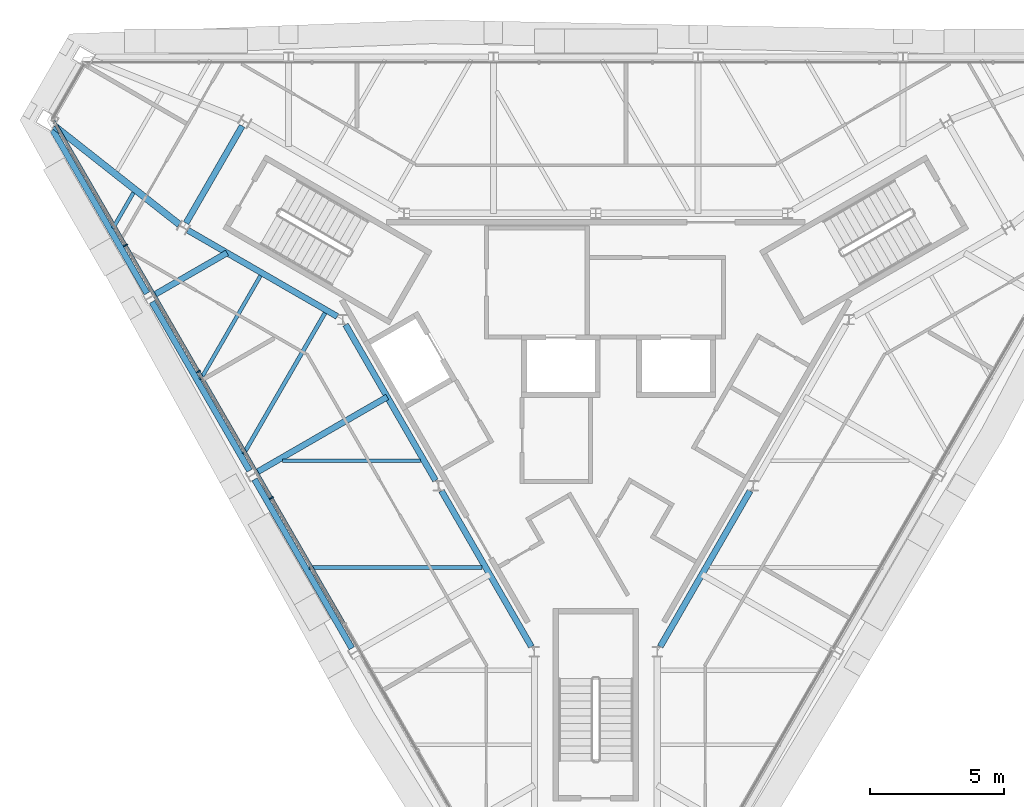
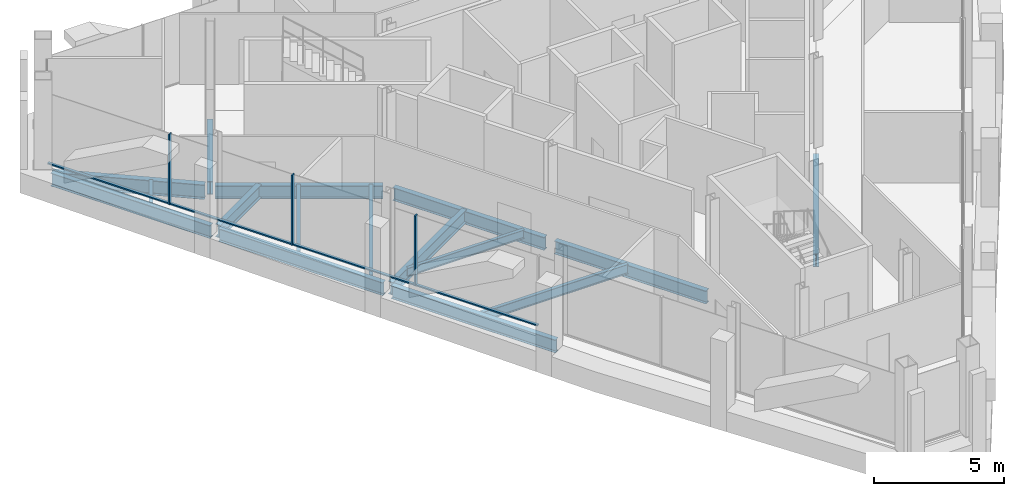
# One storey, part 4 of 13: 16 beams, 7 members, 1 element without a shape of its own.
"""IFC4 building model written with IfcOpenShell, lengths in metres."""

from ifc_helpers import new_model, si_unit, direction, frame, origin, origin_2d, place, context, subcontext, project, spatial, rectangle, i_section, extrude, material, material_profile, profile_set, type_object, element, aggregate, save


model = new_model("IFC4")

# Units and contexts
model_context = context("Model", 3, precision=1e-05, world=origin(), true_north=direction((0.0, 1.0)))
body_context = subcontext(model_context, "Body", "Model", "MODEL_VIEW")
ifc_project = project(units=[si_unit("LENGTHUNIT", "METRE"), si_unit("AREAUNIT", "SQUARE_METRE"), si_unit("VOLUMEUNIT", "CUBIC_METRE"), si_unit("PLANEANGLEUNIT", "RADIAN"), si_unit("MASSUNIT", "GRAM", prefix="KILO")], contexts=[model_context])

# Site, building, storey
site_placement = place(None, origin())
site = spatial("IfcSite", under=ifc_project, at=site_placement, CompositionType="ELEMENT")
building_placement = place(site_placement, origin())
building = spatial("IfcBuilding", under=site, at=building_placement, Name="Verrane Prism Tower", CompositionType="ELEMENT")
storey_placement = place(building_placement, frame((0.0, 0.0, 312.60009765625)))
storey = spatial("IfcBuildingStorey", under=building, at=storey_placement, Name="L79", CompositionType="ELEMENT", Elevation=312.60009765625)

# Beams
ifc_material_1 = material(Name="Steel A992", Category="steel")
ifc_material_profile_1 = material_profile(ifc_material_1, i_section(OverallWidth=0.228271484375, OverallDepth=0.607177734375, WebThickness=0.01123046875, FlangeThickness=0.017333984375, FilletRadius=0.0126953125, at=origin_2d()), Name="W24x76")
ifc_profile_set_1 = profile_set([ifc_material_profile_1], Name="Steel A992")
beam_type_1 = type_object("IfcBeamType", Name="Core ring girder W24x76", PredefinedType="BEAM", material=ifc_profile_set_1)
beam_1_placement = place(storey_placement, frame((-13.23974609375, 10.0673828125, -0.5537109375), z_axis=(-0.500323136493, -0.865838760445, 0.0), x_axis=(0.865838760445, -0.500323136493, 0.0)))
element("IfcBeam", 1, at=beam_1_placement, inside=storey, type_object=beam_type_1, Name="Core ring girder L79", PredefinedType="BEAM", context=body_context, shape_type="SweptSolid", body=[
    extrude(i_section(OverallWidth=0.228271484375, OverallDepth=0.607177734375, WebThickness=0.01123046875, FlangeThickness=0.017333984375, FilletRadius=0.0126953125, at=origin_2d()), origin(), (0.0, 0.0, 1.0), 4.197998046875),
])
beam_2_placement = place(storey_placement, frame((-15.272705078125, 6.16357421875, -0.5537109375), z_axis=(0.866076057046, -0.499912255713, 0.0), x_axis=(0.499912255713, 0.866076057046, 0.0)))
element("IfcBeam", 2, at=beam_2_placement, inside=storey, type_object=beam_type_1, Name="Core ring girder L79", PredefinedType="BEAM", context=body_context, shape_type="SweptSolid", body=[
    extrude(i_section(OverallWidth=0.228271484375, OverallDepth=0.607177734375, WebThickness=0.01123046875, FlangeThickness=0.017333984375, FilletRadius=0.0126953125, at=origin_2d()), origin(), (0.0, 0.0, 1.0), 6.458251953125),
])
for number, where, z_axis, x_axis, name in (
    (3, (-9.36865234375, 2.626953125, -0.5537109375), (0.499881421193, -0.866093854468, 0.0), (0.866093854468, 0.499881421193, 0.0), "Core ring girder L79"),
    (4, (-5.778564453125, -3.593017578125, -0.5537109375), (0.499881421193, -0.866093854468, 0.0), (0.866093854468, 0.499881421193, 0.0), "Core ring girder L79"),
    (5, (2.411376953125, -9.427001953125, -0.5537109375), (0.499881421193, 0.866093854468, 0.0), (-0.866093854468, 0.499881421193, 0.0), "Core ring girder L79"),
):
    element("IfcBeam", number, at=place(storey_placement, frame(where, z_axis=z_axis, x_axis=x_axis)), inside=storey, type_object=beam_type_1, Name=name, PredefinedType="BEAM", context=body_context, shape_type="SweptSolid", body=[
        extrude(i_section(OverallWidth=0.228271484375, OverallDepth=0.607177734375, WebThickness=0.01123046875, FlangeThickness=0.017333984375, FilletRadius=0.0126953125, at=origin_2d()), origin(), (0.0, 0.0, 1.0), 6.736083984375),
    ])
ifc_material_2 = material(Name="Steel A992", Category="steel")
ifc_material_profile_2 = material_profile(ifc_material_2, i_section(OverallWidth=0.25390625, OverallDepth=0.683349609375, WebThickness=0.012451171875, FlangeThickness=0.01904296875, FilletRadius=0.01513671875, at=origin_2d()), Name="W27x94")
ifc_profile_set_2 = profile_set([ifc_material_profile_2], Name="Steel A992")
beam_type_2 = type_object("IfcBeamType", Name="Corner girder W27x94", PredefinedType="BEAM", material=ifc_profile_set_2)
beam_3_placement = place(storey_placement, frame((-20.26220703125, 10.06103515625, -0.561767578125), z_axis=(0.785339810319, -0.619064925777, 0.0), x_axis=(0.619064925777, 0.785339810319, 0.0)))
element("IfcBeam", 6, at=beam_3_placement, inside=storey, type_object=beam_type_2, Name="Corner girder L79", PredefinedType="BEAM", context=body_context, shape_type="SweptSolid", body=[
    extrude(i_section(OverallWidth=0.25390625, OverallDepth=0.683349609375, WebThickness=0.012451171875, FlangeThickness=0.01904296875, FilletRadius=0.01513671875, at=origin_2d()), origin(), (0.0, 0.0, 1.0), 5.945068359375),
])
ifc_material_3 = material(Name="Steel A992", Category="steel")
ifc_material_profile_3 = material_profile(ifc_material_3, i_section(OverallWidth=0.140380859375, OverallDepth=0.40380859375, WebThickness=0.007080078125, FlangeThickness=0.01123046875, FilletRadius=0.01025390625, at=origin_2d()), Name="W16x31")
ifc_profile_set_3 = profile_set([ifc_material_profile_3], Name="Steel A992")
beam_type_3 = type_object("IfcBeamType", Name="Floor beam W16x31", PredefinedType="BEAM", material=ifc_profile_set_3)
beam_4_placement = place(storey_placement, frame((-18.076904296875, 6.23779296875, -0.362060546875), z_axis=(0.499978844458, 0.866037617598, 0.0), x_axis=(-0.866037617598, 0.499978844458, 0.0)))
element("IfcBeam", 7, at=beam_4_placement, inside=storey, type_object=beam_type_3, Name="Floor beam L79", PredefinedType="BEAM", context=body_context, shape_type="SweptSolid", body=[
    extrude(i_section(OverallWidth=0.140380859375, OverallDepth=0.40380859375, WebThickness=0.007080078125, FlangeThickness=0.01123046875, FilletRadius=0.01025390625, at=origin_2d()), origin(), (0.0, 0.0, 1.0), 1.53857421875),
])
beam_5_placement = place(storey_placement, frame((-14.801513671875, 0.5673828125, -0.362060546875), z_axis=(0.500038829804, 0.866002984226, 0.0), x_axis=(-0.866002984226, 0.500038829804, 0.0)))
element("IfcBeam", 8, at=beam_5_placement, inside=storey, type_object=beam_type_3, Name="Floor beam L79", PredefinedType="BEAM", context=body_context, shape_type="SweptSolid", body=[
    extrude(i_section(OverallWidth=0.140380859375, OverallDepth=0.40380859375, WebThickness=0.007080078125, FlangeThickness=0.01123046875, FilletRadius=0.01025390625, at=origin_2d()), origin(), (0.0, 0.0, 1.0), 4.497802734375),
])
beam_6_placement = place(storey_placement, frame((-11.7236328125, -2.469970703125, -0.362060546875), z_axis=(1.0, 0.0, 0.0), x_axis=(0.0, 1.0, 0.0)))
element("IfcBeam", 9, at=beam_6_placement, inside=storey, type_object=beam_type_3, Name="Floor beam L79", PredefinedType="BEAM", context=body_context, shape_type="SweptSolid", body=[
    extrude(i_section(OverallWidth=0.140380859375, OverallDepth=0.40380859375, WebThickness=0.007080078125, FlangeThickness=0.01123046875, FilletRadius=0.01025390625, at=origin_2d()), origin(), (0.0, 0.0, 1.0), 5.1640625),
])
ifc_material_4 = material(Name="Steel A992", Category="steel")
ifc_material_profile_4 = material_profile(ifc_material_4, i_section(OverallWidth=0.15234375, OverallDepth=0.449462890625, WebThickness=0.007568359375, FlangeThickness=0.0107421875, FilletRadius=0.01025390625, at=origin_2d()), Name="W18x35")
ifc_profile_set_4 = profile_set([ifc_material_profile_4], Name="Steel A992")
beam_type_4 = type_object("IfcBeamType", Name="Floor beam W18x35", PredefinedType="BEAM", material=ifc_profile_set_4)
beam_7_placement = place(storey_placement, frame((-13.189697265625, -2.219482421875, -0.385009765625), z_axis=(0.499979762145, 0.8660370878, 0.0), x_axis=(-0.8660370878, 0.499979762145, 0.0)))
element("IfcBeam", 10, at=beam_7_placement, inside=storey, type_object=beam_type_4, Name="Floor beam L79", PredefinedType="BEAM", context=body_context, shape_type="SweptSolid", body=[
    extrude(i_section(OverallWidth=0.15234375, OverallDepth=0.449462890625, WebThickness=0.007568359375, FlangeThickness=0.0107421875, FilletRadius=0.01025390625, at=origin_2d()), origin(), (0.0, 0.0, 1.0), 6.105224609375),
])
beam_8_placement = place(storey_placement, frame((-10.74560546875, -6.4599609375, -0.385009765625), z_axis=(1.0, 0.0, 0.0), x_axis=(0.0, 1.0, 0.0)))
element("IfcBeam", 11, at=beam_8_placement, inside=storey, type_object=beam_type_4, Name="Floor beam L79", PredefinedType="BEAM", context=body_context, shape_type="SweptSolid", body=[
    extrude(i_section(OverallWidth=0.15234375, OverallDepth=0.449462890625, WebThickness=0.007568359375, FlangeThickness=0.0107421875, FilletRadius=0.01025390625, at=origin_2d()), origin(), (0.0, 0.0, 1.0), 6.49365234375),
])

# Curtain wall, members
ifc_material_5 = material(Name="Aluminium framed insulated glazing", Category="aluminium")
curtain_wall_type = type_object("IfcCurtainWallType", Name="Curtain wall CW-B 5600 module", PredefinedType="NOTDEFINED", material=ifc_material_5)
curtain_wall_placement = place(storey_placement, origin())
curtain_wall = element("IfcCurtainWall", 12, at=curtain_wall_placement, inside=storey, type_object=curtain_wall_type, Name="Glazed curtain wall south-west face L79", PredefinedType="NOTDEFINED")
ifc_material_6 = material(Name="Aluminium alloy 6063-T6", Category="aluminium")
ifc_material_profile_5 = material_profile(ifc_material_6, rectangle(XDim=0.159912109375, YDim=0.06005859375, at=origin_2d()), Name="Mullion 60x160 aluminium")
ifc_profile_set_5 = profile_set([ifc_material_profile_5], Name="Aluminium alloy 6063-T6")
member_type_1 = type_object("IfcMemberType", Name="Mullion 60x160 aluminium", PredefinedType="MULLION", material=ifc_profile_set_5)
member_1_placement = place(storey_placement, frame((-17.60595703125, 5.60009765625, 0.0), z_axis=(0.0, 0.0, 1.0), x_axis=(0.866025278644, 0.500000216749, 0.0)))
member_1 = element("IfcMember", 13, at=member_1_placement, type_object=member_type_1, Name="CW79.4 mullion 2", PredefinedType="MULLION", context=body_context, shape_type="SweptSolid", body=[
    extrude(rectangle(XDim=0.159912109375, YDim=0.06005859375, at=origin_2d()), origin(), (0.0, 0.0, 1.0), 3.296630859375),
])
member_2_placement = place(storey_placement, frame((-14.87548828125, 0.87060546875, 0.0), z_axis=(0.0, 0.0, 1.0), x_axis=(0.866025278644, 0.500000216749, 0.0)))
member_2 = element("IfcMember", 14, at=member_2_placement, type_object=member_type_1, Name="CW79.4 mullion 3", PredefinedType="MULLION", context=body_context, shape_type="SweptSolid", body=[
    extrude(rectangle(XDim=0.159912109375, YDim=0.06005859375, at=origin_2d()), origin(), (0.0, 0.0, 1.0), 3.296630859375),
])
member_3_placement = place(storey_placement, frame((-12.144775390625, -3.85888671875, 0.0), z_axis=(0.0, 0.0, 1.0), x_axis=(0.866025278644, 0.500000216749, 0.0)))
member_3 = element("IfcMember", 15, at=member_3_placement, type_object=member_type_1, Name="CW79.4 mullion 4", PredefinedType="MULLION", context=body_context, shape_type="SweptSolid", body=[
    extrude(rectangle(XDim=0.159912109375, YDim=0.06005859375, at=origin_2d()), origin(), (0.0, 0.0, 1.0), 3.296630859375),
])

# Beams
ifc_material_7 = material(Name="Steel A992", Category="steel")
ifc_material_profile_6 = material_profile(ifc_material_7, i_section(OverallWidth=0.228271484375, OverallDepth=0.607177734375, WebThickness=0.01123046875, FlangeThickness=0.017333984375, FilletRadius=0.0126953125, at=origin_2d()), Name="W24x76")
ifc_profile_set_6 = profile_set([ifc_material_profile_6], Name="Steel A992")
beam_type_5 = type_object("IfcBeamType", Name="Radial girder W24x76", PredefinedType="BEAM", material=ifc_profile_set_6)
beam_9_placement = place(storey_placement, frame((-16.550537109375, 3.732177734375, -0.523681640625), z_axis=(0.866011117715, 0.500024743381, 0.0), x_axis=(-0.500024743381, 0.866011117715, 0.0)))
element("IfcBeam", 16, at=beam_9_placement, inside=storey, type_object=beam_type_5, Name="Radial girder L79", PredefinedType="BEAM", context=body_context, shape_type="SweptSolid", body=[
    extrude(i_section(OverallWidth=0.228271484375, OverallDepth=0.607177734375, WebThickness=0.01123046875, FlangeThickness=0.017333984375, FilletRadius=0.0126953125, at=origin_2d()), origin(), (0.0, 0.0, 1.0), 3.169189453125),
])
beam_10_placement = place(storey_placement, frame((-12.71044921875, -2.907958984375, -0.523681640625), z_axis=(0.866021122779, 0.500007414845, 0.0), x_axis=(-0.500007414845, 0.866021122779, 0.0)))
element("IfcBeam", 17, at=beam_10_placement, inside=storey, type_object=beam_type_5, Name="Radial girder L79", PredefinedType="BEAM", context=body_context, shape_type="SweptSolid", body=[
    extrude(i_section(OverallWidth=0.228271484375, OverallDepth=0.607177734375, WebThickness=0.01123046875, FlangeThickness=0.017333984375, FilletRadius=0.0126953125, at=origin_2d()), origin(), (0.0, 0.0, 1.0), 5.6611328125),
])
ifc_material_8 = material(Name="Steel A992", Category="steel")
ifc_material_profile_7 = material_profile(ifc_material_8, i_section(OverallWidth=0.228271484375, OverallDepth=0.607177734375, WebThickness=0.01123046875, FlangeThickness=0.017333984375, FilletRadius=0.0126953125, at=origin_2d()), Name="W24x76")
ifc_profile_set_7 = profile_set([ifc_material_profile_7], Name="Steel A992")
beam_type_6 = type_object("IfcBeamType", Name="Spandrel beam W24x76", PredefinedType="SPANDREL", material=ifc_profile_set_7)
beam_11_placement = place(storey_placement, frame((-20.337890625, 9.9296875, -0.463623046875), z_axis=(0.499650748497, -0.866226950358, 0.0), x_axis=(0.866226950358, 0.499650748497, 0.0)))
element("IfcBeam", 18, at=beam_11_placement, inside=storey, type_object=beam_type_6, Name="Spandrel beam L79", PredefinedType="SPANDREL", context=body_context, shape_type="SweptSolid", body=[
    extrude(i_section(OverallWidth=0.228271484375, OverallDepth=0.607177734375, WebThickness=0.01123046875, FlangeThickness=0.017333984375, FilletRadius=0.0126953125, at=origin_2d()), origin(), (0.0, 0.0, 1.0), 7.07421875),
])
beam_12_placement = place(storey_placement, frame((-16.616455078125, 3.478515625, -0.463623046875), z_axis=(0.50061813753, -0.865668227658, 0.0), x_axis=(0.865668227658, 0.50061813753, 0.0)))
element("IfcBeam", 19, at=beam_12_placement, inside=storey, type_object=beam_type_6, Name="Spandrel beam L79", PredefinedType="SPANDREL", context=body_context, shape_type="SweptSolid", body=[
    extrude(i_section(OverallWidth=0.228271484375, OverallDepth=0.607177734375, WebThickness=0.01123046875, FlangeThickness=0.017333984375, FilletRadius=0.0126953125, at=origin_2d()), origin(), (0.0, 0.0, 1.0), 7.297119140625),
])
beam_13_placement = place(storey_placement, frame((-12.77685546875, -3.161865234375, -0.463623046875), z_axis=(0.499074796412, -0.866558911781, 0.0), x_axis=(0.866558911781, 0.499074796412, 0.0)))
element("IfcBeam", 20, at=beam_13_placement, inside=storey, type_object=beam_type_6, Name="Spandrel beam L79", PredefinedType="SPANDREL", context=body_context, shape_type="SweptSolid", body=[
    extrude(i_section(OverallWidth=0.228271484375, OverallDepth=0.607177734375, WebThickness=0.01123046875, FlangeThickness=0.017333984375, FilletRadius=0.0126953125, at=origin_2d()), origin(), (0.0, 0.0, 1.0), 7.300537109375),
])

# Member
ifc_material_9 = material(Name="Aluminium alloy 6063-T6", Category="aluminium")
ifc_material_profile_8 = material_profile(ifc_material_9, rectangle(XDim=0.1201171875, YDim=0.06005859375, at=origin_2d()), Name="Transom 60x120 aluminium")
ifc_profile_set_8 = profile_set([ifc_material_profile_8], Name="Aluminium alloy 6063-T6")
member_type_2 = type_object("IfcMemberType", Name="Transom 60x120 aluminium", PredefinedType="USERDEFINED", material=ifc_profile_set_8)
member_4_placement = place(storey_placement, frame((-20.306640625, 10.277587890625, 0.02978515625), z_axis=(0.499991317891, -0.866030416344, 0.0), x_axis=(0.866030416344, 0.499991317891, 0.0)))
member_4 = element("IfcMember", 21, at=member_4_placement, type_object=member_type_2, Name="CW79.4 transom 1", ObjectType="TRANSOM", PredefinedType="USERDEFINED", context=body_context, shape_type="SweptSolid", body=[
    extrude(rectangle(XDim=0.1201171875, YDim=0.06005859375, at=origin_2d()), origin(), (0.0, 0.0, 1.0), 5.37109375),
])

member_5_placement = place(storey_placement, frame((-17.591064453125, 5.57421875, 0.02978515625), z_axis=(0.500018516412, -0.866014713065, 0.0), x_axis=(0.866014713065, 0.500018516412, 0.0)))
member_5 = element("IfcMember", 22, at=member_5_placement, type_object=member_type_2, Name="CW79.4 transom 2", ObjectType="TRANSOM", PredefinedType="USERDEFINED", context=body_context, shape_type="SweptSolid", body=[
    extrude(rectangle(XDim=0.1201171875, YDim=0.06005859375, at=origin_2d()), origin(), (0.0, 0.0, 1.0), 5.401123046875),
])

member_6_placement = place(storey_placement, frame((-14.8603515625, 0.8447265625, 0.02978515625), z_axis=(0.499984615007, -0.866034286132, 0.0), x_axis=(0.866034286132, 0.499984615007, 0.0)))
member_6 = element("IfcMember", 23, at=member_6_placement, type_object=member_type_2, Name="CW79.4 transom 3", ObjectType="TRANSOM", PredefinedType="USERDEFINED", context=body_context, shape_type="SweptSolid", body=[
    extrude(rectangle(XDim=0.1201171875, YDim=0.06005859375, at=origin_2d()), origin(), (0.0, 0.0, 1.0), 5.401123046875),
])

member_7_placement = place(storey_placement, frame((-12.1298828125, -3.884765625, 0.02978515625), z_axis=(0.500018516412, -0.866014713065, 0.0), x_axis=(0.866014713065, 0.500018516412, 0.0)))
member_7 = element("IfcMember", 24, at=member_7_placement, type_object=member_type_2, Name="CW79.4 transom 4", ObjectType="TRANSOM", PredefinedType="USERDEFINED", context=body_context, shape_type="SweptSolid", body=[
    extrude(rectangle(XDim=0.1201171875, YDim=0.06005859375, at=origin_2d()), origin(), (0.0, 0.0, 1.0), 5.401123046875),
])

aggregate(curtain_wall, [member_1, member_2, member_3, member_4, member_5, member_6, member_7])

save(model, "model.ifc")
